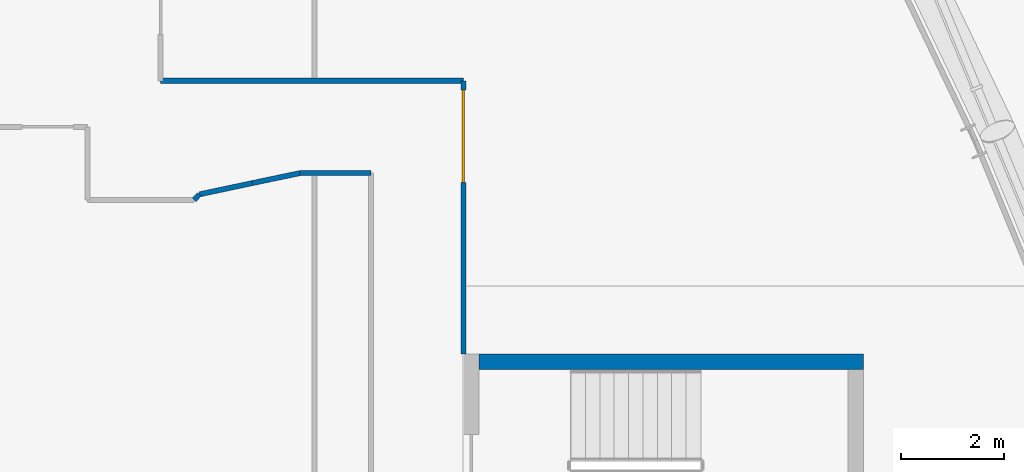
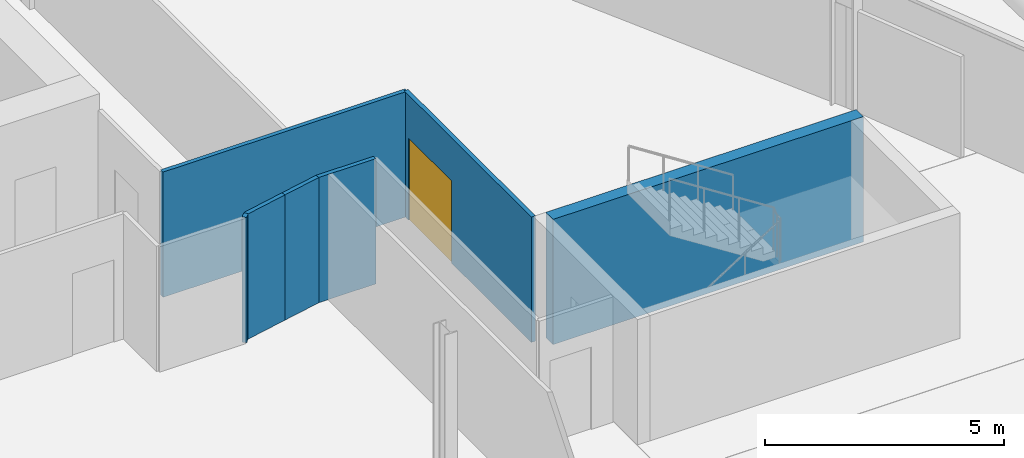
# One storey, part 19 of 30: 7 walls, 1 door, 1 opening.
"""IFC4 building model written with IfcOpenShell, lengths in metres."""

from ifc_helpers import new_model, si_unit, direction, frame, frame_2d, origin, place, context, subcontext, project, spatial, rectangle, extrude, material, layer, layer_set, type_object, element, fill, save


model = new_model("IFC4")

# Units and contexts
model_context = context("Model", 3, precision=1e-05, world=origin(), true_north=direction((0.0, 1.0)))
body_context = subcontext(model_context, "Body", "Model", "MODEL_VIEW")
ifc_project = project(units=[si_unit("LENGTHUNIT", "METRE"), si_unit("AREAUNIT", "SQUARE_METRE"), si_unit("VOLUMEUNIT", "CUBIC_METRE"), si_unit("PLANEANGLEUNIT", "RADIAN"), si_unit("MASSUNIT", "GRAM", prefix="KILO")], contexts=[model_context])

# Site, building, storey
site_placement = place(None, origin())
site = spatial("IfcSite", under=ifc_project, at=site_placement, CompositionType="ELEMENT")
building_placement = place(site_placement, origin())
building = spatial("IfcBuilding", under=site, at=building_placement, Name="Wharfspan Tower", CompositionType="ELEMENT")
storey_placement = place(building_placement, frame((0.0, 0.0, 151.899902)))
storey = spatial("IfcBuildingStorey", under=building, at=storey_placement, Name="L36", CompositionType="ELEMENT", Elevation=151.899902)

# Walls
ifc_material_1 = material(Name="Gypsum board on steel studs", Category="steel")
ifc_layer_1 = layer(ifc_material_1, 0.100098)
ifc_layer_set_1 = layer_set([ifc_layer_1], Name="Gypsum board on steel studs")
wall_type_1 = type_object("IfcWallType", Name="Compartment wall 100 EI 60", PredefinedType="PARTITIONING", material=ifc_layer_set_1)
wall_1_placement = place(storey_placement, frame((58.0, 31.399902, 0.0), z_axis=(0.0, 0.0, 1.0), x_axis=(1.0, 0.0, 0.0)))
element("IfcWall", 1, at=wall_1_placement, inside=storey, type_object=wall_type_1, Name="Partition L36.w040", PredefinedType="PARTITIONING", context=body_context, shape_type="SweptSolid", body=[
    extrude(rectangle(XDim=5.905029, YDim=0.100098, at=frame_2d((2.952637, 0.0))), origin(), (0.0, 0.0, 1.0), 3.200195),
])
wall_2_placement = place(storey_placement, frame((58.655029, 29.074951, 0.0), z_axis=(0.0, 0.0, 1.0), x_axis=(0.671773, 0.740757, 0.0)))
element("IfcWall", 2, at=wall_2_placement, inside=storey, type_object=wall_type_1, Name="Partition L36.w042", PredefinedType="PARTITIONING", context=body_context, shape_type="SweptSolid", body=[
    extrude(rectangle(XDim=0.148682, YDim=0.100098, at=frame_2d((0.074219, 0.0))), origin(), (0.0, 0.0, 1.0), 3.200195),
])
wall_3_placement = place(storey_placement, frame((58.754883, 29.185059, 0.0), z_axis=(0.0, 0.0, 1.0), x_axis=(0.97816, 0.207859, 0.0)))
element("IfcWall", 3, at=wall_3_placement, inside=storey, type_object=wall_type_1, Name="Partition L36.w043", PredefinedType="PARTITIONING", context=body_context, shape_type="SweptSolid", body=[
    extrude(rectangle(XDim=1.05835, YDim=0.100098, at=frame_2d((0.529297, 0.0))), origin(), (0.0, 0.0, 1.0), 3.200195),
])
wall_4_placement = place(storey_placement, frame((59.790039, 29.405029, 0.0), z_axis=(0.0, 0.0, 1.0), x_axis=(0.978703, 0.205299, 0.0)))
element("IfcWall", 4, at=wall_4_placement, inside=storey, type_object=wall_type_1, Name="Partition L36.w045", PredefinedType="PARTITIONING", context=body_context, shape_type="SweptSolid", body=[
    extrude(rectangle(XDim=0.950195, YDim=0.100098, at=frame_2d((0.475098, 0.0))), origin(), (0.0, 0.0, 1.0), 3.200195),
])
wall_5_placement = place(storey_placement, frame((60.719971, 29.600098, 0.0), z_axis=(0.0, 0.0, 1.0), x_axis=(1.0, 0.0, 0.0)))
element("IfcWall", 5, at=wall_5_placement, inside=storey, type_object=wall_type_1, Name="Partition L36.w046", PredefinedType="PARTITIONING", context=body_context, shape_type="SweptSolid", body=[
    extrude(rectangle(XDim=1.38501, YDim=0.100098, at=frame_2d((0.692383, 0.0))), origin(), (0.0, 0.0, 1.0), 3.200195),
])

# Wall, opening, door
wall_6_placement = place(storey_placement, frame((63.905029, 26.074951, 0.0), z_axis=(0.0, 0.0, 1.0), x_axis=(0.0, 1.0, 0.0)))
wall_6 = element("IfcWall", 6, at=wall_6_placement, inside=storey, type_object=wall_type_1, Name="Partition L36.w051", PredefinedType="PARTITIONING", context=body_context, shape_type="SweptSolid", body=[
    extrude(rectangle(XDim=5.324951, YDim=0.100098, at=frame_2d((2.662598, 0.0))), origin(), (0.0, 0.0, 1.0), 3.200195),
])
opening_placement = place(wall_6_placement, frame((3.344971, 0.0, 0.0)))
opening = element("IfcOpeningElement", 7, at=opening_placement, cuts=wall_6, Name="Opening C1-20", PredefinedType="OPENING", context=body_context, shape_type="SweptSolid", body=[
    extrude(rectangle(XDim=1.800049, YDim=2.100098, at=frame_2d((0.899902, 1.050049))), frame((0.0, 0.060059, 0.0), z_axis=(0.0, -1.0, 0.0), x_axis=(1.0, 0.0, 0.0)), (0.0, 0.0, 1.0), 0.120117),
])
ifc_material_2 = material(Name="Fire-rated timber door leaf in steel frame", Category="steel")
door_type = type_object("IfcDoorType", Name="Door 1800 FD30S Double", OperationType="DOUBLE_DOOR_SINGLE_SWING", PredefinedType="DOOR", material=ifc_material_2)
door_placement = place(opening_placement, origin())
door = element("IfcDoor", 8, at=door_placement, inside=storey, type_object=door_type, Name="Door C1-20", OperationType="DOUBLE_DOOR_SINGLE_SWING", OverallHeight=2.100098, OverallWidth=1.800049, PredefinedType="DOOR", context=body_context, shape_type="SweptSolid", body=[
    extrude(rectangle(XDim=1.800049, YDim=2.100098, at=frame_2d((0.899902, 1.050049))), frame((0.0, 0.024902, 0.0), z_axis=(0.0, -1.0, 0.0), x_axis=(1.0, 0.0, 0.0)), (0.0, 0.0, 1.0), 0.050049),
])
fill(opening, door)

# Wall
ifc_material_3 = material(Name="Concrete C40/50", Category="concrete")
ifc_layer_2 = layer(ifc_material_3, 0.300049)
ifc_layer_set_2 = layer_set([ifc_layer_2], Name="Concrete C40/50")
wall_type_2 = type_object("IfcWallType", Name="Stair core wall 300", PredefinedType="SHEAR", material=ifc_layer_set_2)
wall_7_placement = place(storey_placement, frame((64.20459, 25.925049, 0.0), z_axis=(0.0, 0.0, 1.0), x_axis=(1.0, 0.0, 0.0)))
element("IfcWall", 9, at=wall_7_placement, inside=storey, type_object=wall_type_2, Name="ST6 stair enclosure wall L36", PredefinedType="SHEAR", context=body_context, shape_type="SweptSolid", body=[
    extrude(rectangle(XDim=7.5, YDim=0.300049, at=frame_2d((3.75, 0.0))), origin(), (0.0, 0.0, 1.0), 3.200195),
])

save(model, "model.ifc")
